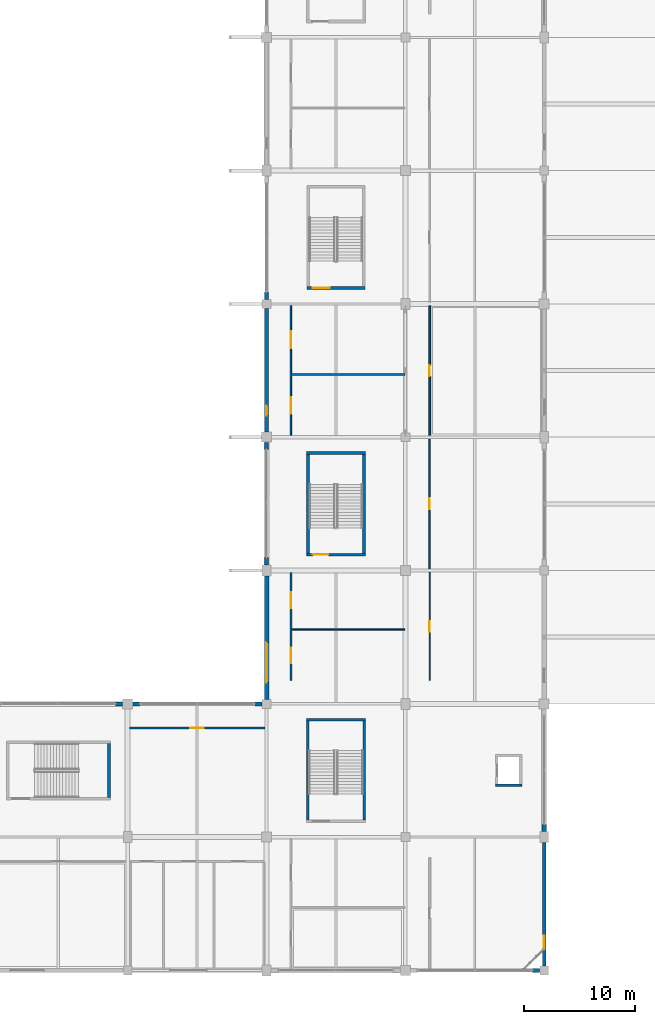
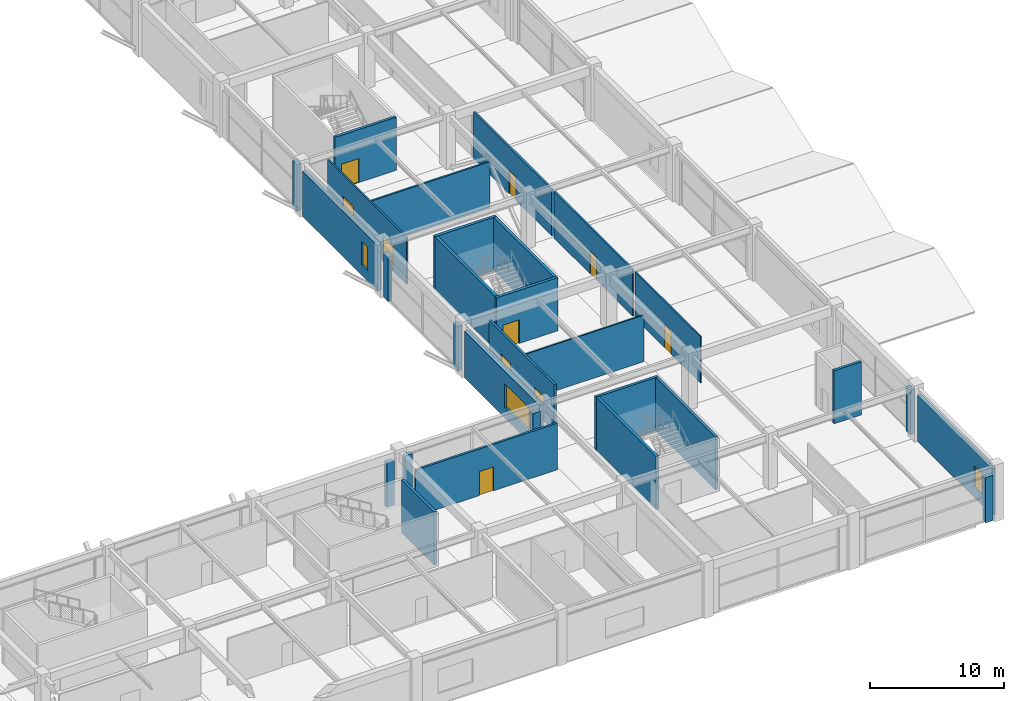
# One storey, part 75 of 116: 29 walls, 10 doors, 3 windows, 13 openings.
"""IFC4 building model written with IfcOpenShell, lengths in metres."""

import ifcopenshell
import ifcopenshell.guid

model = None  # the IFC model being written
_history = None  # IfcOwnerHistory: only IFC2X3 demands one
_inside = {}  # id of a spatial element -> (the spatial element, [elements in it])
_under = {}  # id of a project, library or spatial element -> (it, [spatial elements below it])
_declared = {}  # id of a project -> (the project, [libraries it declares])
_typed = {}  # id of a type object -> (the type object, [elements of that type])
_made_of = {}  # id of a material, layer set ... -> (it, [elements and type objects made of it])


def new_model(schema):
    """Start an empty IFC model of exactly this schema.

    Asked for "IFC4X3", IfcOpenShell would pick the latest addendum, in which some entities
    have other attributes; the version numbers below select the first issue.
    IFC2X3 requires an IfcOwnerHistory on every rooted entity: one is made here for all.
    """
    global model, _history
    if schema == "IFC4X3":
        model = ifcopenshell.file(schema_version=(4, 3, 0, 0))
    else:
        model = ifcopenshell.file(schema=schema)
    _inside.clear()
    _under.clear()
    _declared.clear()
    _typed.clear()
    _made_of.clear()
    _history = None
    if model.schema == "IFC2X3":
        org = make("IfcOrganization", Name="unknown")
        user = make(
            "IfcPersonAndOrganization",
            ThePerson=make("IfcPerson", FamilyName="unknown"),
            TheOrganization=org,
        )
        app = make(
            "IfcApplication",
            ApplicationDeveloper=org,
            Version="unknown",
            ApplicationFullName="unknown",
            ApplicationIdentifier="unknown",
        )
        _history = make(
            "IfcOwnerHistory",
            OwningUser=user,
            OwningApplication=app,
            ChangeAction="ADDED",
            CreationDate=0,
        )
    return model


def make(cls, **values):
    """One entity of the class cls with the attributes given. An attribute that is None is left unset."""
    return model.create_entity(
        cls, **{name: value for name, value in values.items() if value is not None}
    )


def rooted(cls, **values):
    """An entity with a GlobalId (a new one), such as an element, a storey or a relation."""
    return make(cls, GlobalId=ifcopenshell.guid.new(), OwnerHistory=_history, **values)


def si_unit(unit_type, name, prefix=None):
    """IfcSIUnit, for example si_unit("LENGTHUNIT", "METRE", prefix="MILLI")."""
    return make("IfcSIUnit", UnitType=unit_type, Prefix=prefix, Name=name)


def assignment(units):
    """IfcUnitAssignment: the units of a project."""
    return None if units is None else make("IfcUnitAssignment", Units=units)


def point(xyz):
    """IfcCartesianPoint."""
    return None if xyz is None else make("IfcCartesianPoint", Coordinates=xyz)


def direction(xyz):
    """IfcDirection."""
    return None if xyz is None else make("IfcDirection", DirectionRatios=xyz)


def frame(location, z_axis=None, x_axis=None):
    """IfcAxis2Placement3D, a coordinate frame: its origin and axes. An axis left out is left unset."""
    return make(
        "IfcAxis2Placement3D",
        Location=point(location),
        Axis=direction(z_axis),
        RefDirection=direction(x_axis),
    )


def frame_2d(location, x_axis=None):
    """IfcAxis2Placement2D, a coordinate frame in the plane: its origin and x axis."""
    return make(
        "IfcAxis2Placement2D", Location=point(location), RefDirection=direction(x_axis)
    )


def origin():
    """The frame at (0, 0, 0) with its axes left unset."""
    return frame((0.0, 0.0, 0.0))


def place(relative_to, where):
    """IfcLocalPlacement: puts the frame where relative to a parent placement (None: the world)."""
    return make(
        "IfcLocalPlacement", PlacementRelTo=relative_to, RelativePlacement=where
    )


def context(
    kind, dimensions, precision=None, world=None, true_north=None, identifier=None
):
    """IfcGeometricRepresentationContext, for example the 3D "Model" context."""
    return make(
        "IfcGeometricRepresentationContext",
        ContextIdentifier=identifier,
        ContextType=kind,
        CoordinateSpaceDimension=dimensions,
        Precision=precision,
        WorldCoordinateSystem=world,
        TrueNorth=true_north,
    )


def subcontext(parent, identifier, kind, view, scale=None):
    """IfcGeometricRepresentationSubContext, for example "Body" below "Model"."""
    return make(
        "IfcGeometricRepresentationSubContext",
        ContextIdentifier=identifier,
        ContextType=kind,
        ParentContext=parent,
        TargetScale=scale,
        TargetView=view,
    )


def project(units=None, contexts=None):
    """IfcProject with its units and contexts."""
    return rooted(
        "IfcProject",
        Name="project",
        RepresentationContexts=contexts,
        UnitsInContext=assignment(units),
    )


def spatial(cls, under=None, at=None, **own):
    """A site, building, storey or space (cls), placed at a placement, below another one or the project."""
    s = rooted(cls, ObjectPlacement=at, **own)
    if under is not None:
        _under.setdefault(under.id(), (under, []))[1].append(s)
    return s


def profile(cls, at=None, kind="AREA", **sizes):
    """A parametric profile (cls). Its sizes go by their IFC names, for example OverallWidth=200.0."""
    return make(cls, ProfileType=kind, Position=at, **sizes)


def rectangle(**sizes):
    """IfcRectangleProfileDef."""
    return profile("IfcRectangleProfileDef", **sizes)


def extrude(swept, where, along, depth):
    """IfcExtrudedAreaSolid: the profile swept, set in the frame where, extruded along a direction by depth."""
    return make(
        "IfcExtrudedAreaSolid",
        SweptArea=swept,
        Position=where,
        ExtrudedDirection=direction(along),
        Depth=depth,
    )


def shape(context_of_items, identifier, shape_type, items):
    """IfcShapeRepresentation: the items that make up one representation, for example the "Body"."""
    return make(
        "IfcShapeRepresentation",
        ContextOfItems=context_of_items,
        RepresentationIdentifier=identifier,
        RepresentationType=shape_type,
        Items=items,
    )


def material(Name=None, Category=None):
    """IfcMaterial."""
    return make("IfcMaterial", Name=Name, Category=Category)


def layer(
    of_material, thickness, ventilated=None, Name=None, Category=None, Priority=None
):
    """IfcMaterialLayer: one layer of a wall or slab, of a material (None: an air gap)."""
    return make(
        "IfcMaterialLayer",
        Material=of_material,
        LayerThickness=thickness,
        IsVentilated=ventilated,
        Name=Name,
        Category=Category,
        Priority=Priority,
    )


def layer_set(layers, Name=None):
    """IfcMaterialLayerSet."""
    return make("IfcMaterialLayerSet", MaterialLayers=layers, LayerSetName=Name)


def made_of(thing, what):
    """Note that an element or type object is made of a material, layer set ...; save() writes the relation."""
    if what is not None:
        _made_of.setdefault(what.id(), (what, []))[1].append(thing)
    return thing


def type_object(cls, material=None, **own):
    """A type object (cls), such as IfcWallType, which elements share."""
    return made_of(rooted(cls, **own), material)


def element(
    cls,
    number,
    at=None,
    inside=None,
    cuts=None,
    type_object=None,
    material=None,
    context=None,
    identifier="Body",
    shape_type=None,
    held_by="IfcProductDefinitionShape",
    body=None,
    shapes=None,
    **own,
):
    """One element of the class cls, such as IfcWall. Its Tag is "e" and its number.

    at: its placement. inside: the storey or other place that contains it. cuts: it is an
    opening in that element (IfcRelVoidsElement). A single representation is given by context,
    identifier, shape_type and body (its items); several are given by shapes. held_by: the class
    of the entity that holds the representations. save() writes the other relations.
    """
    e = rooted(cls, Tag="e%d" % number, ObjectPlacement=at, **own)
    if body is not None:
        shapes = [shape(context, identifier, shape_type, body)]
    if shapes is not None:
        e.Representation = make(held_by, Representations=shapes)
    if inside is not None:
        _inside.setdefault(inside.id(), (inside, []))[1].append(e)
    if cuts is not None:
        rooted(
            "IfcRelVoidsElement", RelatingBuildingElement=cuts, RelatedOpeningElement=e
        )
    if type_object is not None:
        _typed.setdefault(type_object.id(), (type_object, []))[1].append(e)
    return made_of(e, material)


def fill(opening, filler):
    """IfcRelFillsElement: the door or window that sits in an opening."""
    return rooted(
        "IfcRelFillsElement",
        RelatingOpeningElement=opening,
        RelatedBuildingElement=filler,
    )


def aggregate(whole, parts):
    """IfcRelAggregates: a whole, such as a stair, and the parts it consists of."""
    return rooted("IfcRelAggregates", RelatingObject=whole, RelatedObjects=parts)


def save(model, path):
    """Write the relations noted so far, then the file.

    IfcRelAggregates (storeys below a building ...), IfcRelContainedInSpatialStructure (elements
    in a storey), IfcRelDefinesByType, IfcRelAssociatesMaterial and IfcRelDeclares: one each for
    every whole, place, type object, material and project.
    """
    for whole, parts in _under.values():
        aggregate(whole, parts)
    for where, things in _inside.values():
        rooted(
            "IfcRelContainedInSpatialStructure",
            RelatedElements=things,
            RelatingStructure=where,
        )
    for kind, things in _typed.values():
        rooted("IfcRelDefinesByType", RelatedObjects=things, RelatingType=kind)
    for what, things in _made_of.values():
        rooted("IfcRelAssociatesMaterial", RelatedObjects=things, RelatingMaterial=what)
    for by, libraries in _declared.values():
        rooted("IfcRelDeclares", RelatingContext=by, RelatedDefinitions=libraries)
    model.write(path)


model = new_model("IFC4")

# Units and contexts
model_context = context("Model", 3, precision=1e-05, world=origin(), true_north=direction((0.0, 1.0)))
body_context = subcontext(model_context, "Body", "Model", "MODEL_VIEW")
ifc_project = project(units=[si_unit("LENGTHUNIT", "METRE"), si_unit("AREAUNIT", "SQUARE_METRE"), si_unit("VOLUMEUNIT", "CUBIC_METRE"), si_unit("PLANEANGLEUNIT", "RADIAN"), si_unit("MASSUNIT", "GRAM", prefix="KILO")], contexts=[model_context])

# Site, building, storey
site_placement = place(None, origin())
site = spatial("IfcSite", under=ifc_project, at=site_placement, CompositionType="ELEMENT")
building_placement = place(site_placement, origin())
building = spatial("IfcBuilding", under=site, at=building_placement, Name="Kazenohara Klinker Stadium", CompositionType="ELEMENT")
storey_placement = place(building_placement, frame((0.0, 0.0, 10.199951171875)))
storey = spatial("IfcBuildingStorey", under=building, at=storey_placement, Name="L02", CompositionType="ELEMENT", Elevation=10.199951171875)

# Walls
ifc_material_1 = material(Name="Concrete C40/50", Category="concrete")
ifc_layer_1 = layer(ifc_material_1, 0.22998046875)
ifc_layer_set_1 = layer_set([ifc_layer_1], Name="Concrete C40/50")
wall_type_1 = type_object("IfcWallType", Name="WAL-CORE-230", PredefinedType="SHEAR", material=ifc_layer_set_1)
wall_1_placement = place(storey_placement, frame((178.590087890625, 34.56494140625, 0.0), z_axis=(0.0, 0.0, 1.0), x_axis=(1.0, 0.0, 0.0)))
element("IfcWall", 1, at=wall_1_placement, inside=storey, type_object=wall_type_1, Name="Stairwell shear wall ST16 L02 North", PredefinedType="SHEAR", context=body_context, shape_type="SweptSolid", body=[
    extrude(rectangle(XDim=5.31982421875, YDim=0.22998046875, at=frame_2d((2.659912109375, 0.0))), origin(), (0.0, 0.0, 1.0), 4.820068359375),
])
for number, where, z_axis, x_axis, name in (
    (2, (178.705078125, 25.550048828125, 0.0), (0.0, 0.0, 1.0), (0.0, 1.0, 0.0), "Stairwell shear wall ST16 L02 West"),
    (3, (183.794921875, 25.550048828125, 0.0), (0.0, 0.0, 1.0), (0.0, 1.0, 0.0), "Stairwell shear wall ST16 L02 East"),
):
    element("IfcWall", number, at=place(storey_placement, frame(where, z_axis=z_axis, x_axis=x_axis)), inside=storey, type_object=wall_type_1, Name=name, PredefinedType="SHEAR", context=body_context, shape_type="SweptSolid", body=[
        extrude(rectangle(XDim=8.89990234375, YDim=0.22998046875, at=frame_2d((4.449951171875, 0.0))), origin(), (0.0, 0.0, 1.0), 4.820068359375),
    ])

# Wall, opening, door
wall_2_placement = place(storey_placement, frame((178.6201171875, 73.43505859375, 0.0), z_axis=(0.0, 0.0, 1.0), x_axis=(1.0, 0.0, 0.0)))
wall_2 = element("IfcWall", 4, at=wall_2_placement, inside=storey, type_object=wall_type_1, Name="Stairwell shear wall ST22 L02 South", PredefinedType="SHEAR", context=body_context, shape_type="SweptSolid", body=[
    extrude(rectangle(XDim=5.259765625, YDim=0.22998046875, at=frame_2d((2.6298828125, 0.0))), origin(), (0.0, 0.0, 1.0), 4.820068359375),
])
opening_1_placement = place(wall_2_placement, frame((0.550048828125, 0.0, 0.0)))
opening_1 = element("IfcOpeningElement", 5, at=opening_1_placement, cuts=wall_2, Name="Opening SD02", PredefinedType="OPENING", context=body_context, shape_type="SweptSolid", body=[
    extrude(rectangle(XDim=1.5, YDim=2.199951171875, at=frame_2d((0.75, 1.10009765625))), frame((0.0, 0.125, 0.0), z_axis=(0.0, -1.0, 0.0), x_axis=(1.0, 0.0, 0.0)), (0.0, 0.0, 1.0), 0.25),
])
ifc_material_2 = material(Name="Flush painted steel fire door leaf", Category="steel")
door_type_1 = type_object("IfcDoorType", Name="DR-STR-1500x2200", OperationType="NOTDEFINED", PredefinedType="DOOR", material=ifc_material_2)
door_1_placement = place(opening_1_placement, origin())
door_1 = element("IfcDoor", 6, at=door_1_placement, inside=storey, type_object=door_type_1, Name="Escape stairwell fire door ST22-L02", OperationType="SINGLE_SWING_LEFT", OverallHeight=2.199951171875, OverallWidth=1.5, PredefinedType="DOOR", context=body_context, shape_type="SweptSolid", body=[
    extrude(rectangle(XDim=1.5, YDim=2.199951171875, at=frame_2d((0.75, 1.10009765625))), frame((0.0, 0.02490234375, 0.0), z_axis=(0.0, -1.0, 0.0), x_axis=(1.0, 0.0, 0.0)), (0.0, 0.0, 1.0), 0.050048828125),
])
fill(opening_1, door_1)

# Walls
wall_3_placement = place(storey_placement, frame((160.81494140625, 27.570068359375, 0.0), z_axis=(0.0, 0.0, 1.0), x_axis=(0.0, 1.0, 0.0)))
element("IfcWall", 7, at=wall_3_placement, inside=storey, type_object=wall_type_1, Name="Stairwell shear wall ST28 L02 East", PredefinedType="SHEAR", context=body_context, shape_type="SweptSolid", body=[
    extrude(rectangle(XDim=4.85986328125, YDim=0.22998046875, at=frame_2d((2.429931640625, 0.0))), origin(), (0.0, 0.0, 1.0), 4.820068359375),
])
wall_4_placement = place(storey_placement, frame((195.6201171875, 28.68505859375, 0.0), z_axis=(0.0, 0.0, 1.0), x_axis=(1.0, 0.0, 0.0)))
element("IfcWall", 8, at=wall_4_placement, inside=storey, type_object=wall_type_1, Name="Elevator shaft wall LP06 L02 South", PredefinedType="SHEAR", context=body_context, shape_type="SweptSolid", body=[
    extrude(rectangle(XDim=2.35986328125, YDim=0.22998046875, at=frame_2d((1.179931640625, 0.0))), origin(), (0.0, 0.0, 1.0), 4.820068359375),
])

# Wall, opening, door
ifc_layer_2 = layer(ifc_material_1, 0.25)
ifc_layer_set_2 = layer_set([ifc_layer_2], Name="Concrete C40/50")
wall_type_2 = type_object("IfcWallType", Name="WAL-CORE-250", PredefinedType="SHEAR", material=ifc_layer_set_2)
wall_5_placement = place(storey_placement, frame((178.610107421875, 49.425048828125, 0.0), z_axis=(0.0, 0.0, 1.0), x_axis=(1.0, 0.0, 0.0)))
wall_5 = element("IfcWall", 9, at=wall_5_placement, inside=storey, type_object=wall_type_2, Name="Stairwell shear wall ST21 L02 South", PredefinedType="SHEAR", context=body_context, shape_type="SweptSolid", body=[
    extrude(rectangle(XDim=5.27978515625, YDim=0.25, at=frame_2d((2.639892578125, 0.0))), origin(), (0.0, 0.0, 1.0), 4.820068359375),
])
opening_2_placement = place(wall_5_placement, frame((0.550048828125, 0.0, 0.0)))
opening_2 = element("IfcOpeningElement", 10, at=opening_2_placement, cuts=wall_5, Name="Opening SD01", PredefinedType="OPENING", context=body_context, shape_type="SweptSolid", body=[
    extrude(rectangle(XDim=1.39990234375, YDim=2.14990234375, at=frame_2d((0.699951171875, 1.074951171875))), frame((0.0, 0.135009765625, 0.0), z_axis=(0.0, -1.0, 0.0), x_axis=(1.0, 0.0, 0.0)), (0.0, 0.0, 1.0), 0.27001953125),
])
door_type_2 = type_object("IfcDoorType", Name="DR-STR-1400x2150", OperationType="NOTDEFINED", PredefinedType="DOOR", material=ifc_material_2)
door_2_placement = place(opening_2_placement, origin())
door_2 = element("IfcDoor", 11, at=door_2_placement, inside=storey, type_object=door_type_2, Name="Escape stairwell fire door ST21-L02", OperationType="SINGLE_SWING_LEFT", OverallHeight=2.14990234375, OverallWidth=1.39990234375, PredefinedType="DOOR", context=body_context, shape_type="SweptSolid", body=[
    extrude(rectangle(XDim=1.39990234375, YDim=2.14990234375, at=frame_2d((0.699951171875, 1.074951171875))), frame((0.0, 0.02490234375, 0.0), z_axis=(0.0, -1.0, 0.0), x_axis=(1.0, 0.0, 0.0)), (0.0, 0.0, 1.0), 0.050048828125),
])
fill(opening_2, door_2)

# Walls
wall_6_placement = place(storey_placement, frame((178.610107421875, 58.574951171875, 0.0), z_axis=(0.0, 0.0, 1.0), x_axis=(1.0, 0.0, 0.0)))
element("IfcWall", 12, at=wall_6_placement, inside=storey, type_object=wall_type_2, Name="Stairwell shear wall ST21 L02 North", PredefinedType="SHEAR", context=body_context, shape_type="SweptSolid", body=[
    extrude(rectangle(XDim=5.27978515625, YDim=0.25, at=frame_2d((2.639892578125, 0.0))), origin(), (0.0, 0.0, 1.0), 4.820068359375),
])
for number, where, z_axis, x_axis, name in (
    (13, (178.735107421875, 49.550048828125, 0.0), (0.0, 0.0, 1.0), (0.0, 1.0, 0.0), "Stairwell shear wall ST21 L02 West"),
    (14, (183.764892578125, 49.550048828125, 0.0), (0.0, 0.0, 1.0), (0.0, 1.0, 0.0), "Stairwell shear wall ST21 L02 East"),
):
    element("IfcWall", number, at=place(storey_placement, frame(where, z_axis=z_axis, x_axis=x_axis)), inside=storey, type_object=wall_type_2, Name=name, PredefinedType="SHEAR", context=body_context, shape_type="SweptSolid", body=[
        extrude(rectangle(XDim=8.89990234375, YDim=0.25, at=frame_2d((4.449951171875, 0.0))), origin(), (0.0, 0.0, 1.0), 4.820068359375),
    ])

# Wall, opening, window
ifc_material_3 = material(Name="Clinker brick masonry", Category="masonry")
ifc_layer_3 = layer(ifc_material_3, 0.280029296875)
ifc_layer_set_3 = layer_set([ifc_layer_3], Name="Clinker brick masonry")
wall_type_3 = type_object("IfcWallType", Name="WAL-EXT-CB280", PredefinedType="SOLIDWALL", material=ifc_layer_set_3)
wall_7_placement = place(storey_placement, frame((200.0, 12.404052734375, 0.0), z_axis=(0.0, 0.0, 1.0), x_axis=(0.0, 1.0, 0.0)))
wall_7 = element("IfcWall", 15, at=wall_7_placement, inside=storey, type_object=wall_type_3, Name="Clinker brick cavity wall EW06 L02 Y16-1", PredefinedType="SOLIDWALL", context=body_context, shape_type="SweptSolid", body=[
    extrude(rectangle(XDim=11.092041015625, YDim=0.280029296875, at=frame_2d((5.5458984375, 0.0))), origin(), (0.0, 0.0, 1.0), 4.23193359375),
])
opening_3_placement = place(wall_7_placement, frame((1.5, 0.0, 0.949951171875)))
opening_3 = element("IfcOpeningElement", 16, at=opening_3_placement, cuts=wall_7, Name="Opening W05", PredefinedType="OPENING", context=body_context, shape_type="SweptSolid", body=[
    extrude(rectangle(XDim=1.199951171875, YDim=1.89990234375, at=frame_2d((0.60009765625, 0.949951171875))), frame((0.0, 0.14990234375, 0.0), z_axis=(0.0, -1.0, 0.0), x_axis=(1.0, 0.0, 0.0)), (0.0, 0.0, 1.0), 0.300048828125),
])
ifc_material_4 = material(Name="Dark bronze aluminium frame and triple glazing", Category="aluminium")
window_type_1 = type_object("IfcWindowType", Name="WIN-AS-05", PartitioningType="SINGLE_PANEL", PredefinedType="WINDOW", material=ifc_material_4)
window_1_placement = place(opening_3_placement, origin())
window_1 = element("IfcWindow", 17, at=window_1_placement, inside=storey, type_object=window_type_1, Name="Horizontal-mullion ladder window W05 L02 Y16-1", OverallHeight=1.89990234375, OverallWidth=1.199951171875, PartitioningType="SINGLE_PANEL", PredefinedType="WINDOW", context=body_context, shape_type="SweptSolid", body=[
    extrude(rectangle(XDim=1.199951171875, YDim=1.89990234375, at=frame_2d((0.60009765625, 0.949951171875))), frame((0.0, 0.030029296875, 0.0), z_axis=(0.0, -1.0, 0.0), x_axis=(1.0, 0.0, 0.0)), (0.0, 0.0, 1.0), 0.06005859375),
])
fill(opening_3, window_1)

ifc_layer_4 = layer(ifc_material_3, 0.340087890625)
ifc_layer_set_4 = layer_set([ifc_layer_4], Name="Clinker brick masonry")
wall_type_4 = type_object("IfcWallType", Name="WAL-EXT-CB340", PredefinedType="SOLIDWALL", material=ifc_layer_set_4)
wall_8_placement = place(storey_placement, frame((175.0, 60.4541015625, 0.0), z_axis=(0.0, 0.0, 1.0), x_axis=(0.0, 1.0, 0.0)))
wall_8 = element("IfcWall", 18, at=wall_8_placement, inside=storey, type_object=wall_type_4, Name="Clinker brick cavity wall EW04 L02 Y14-5", PredefinedType="SOLIDWALL", context=body_context, shape_type="SweptSolid", body=[
    extrude(rectangle(XDim=11.141845703125, YDim=0.340087890625, at=frame_2d((5.57080078125, 0.0))), origin(), (0.0, 0.0, 1.0), 4.1201171875),
])
opening_4_placement = place(wall_8_placement, frame((1.5, 0.0, 0.949951171875)))
opening_4 = element("IfcOpeningElement", 19, at=opening_4_placement, cuts=wall_8, Name="Opening W01", PredefinedType="OPENING", context=body_context, shape_type="SweptSolid", body=[
    extrude(rectangle(XDim=0.89990234375, YDim=2.10009765625, at=frame_2d((0.449951171875, 1.050048828125))), frame((0.0, 0.18017578125, 0.0), z_axis=(0.0, -1.0, 0.0), x_axis=(1.0, 0.0, 0.0)), (0.0, 0.0, 1.0), 0.360107421875),
])
window_type_2 = type_object("IfcWindowType", Name="WIN-AS-01", PartitioningType="SINGLE_PANEL", PredefinedType="WINDOW", material=ifc_material_4)
window_2_placement = place(opening_4_placement, origin())
window_2 = element("IfcWindow", 20, at=window_2_placement, inside=storey, type_object=window_type_2, Name="Horizontal-mullion ladder window W01 L02 Y14-5", OverallHeight=2.10009765625, OverallWidth=0.89990234375, PartitioningType="SINGLE_PANEL", PredefinedType="WINDOW", context=body_context, shape_type="SweptSolid", body=[
    extrude(rectangle(XDim=0.89990234375, YDim=2.10009765625, at=frame_2d((0.449951171875, 1.050048828125))), frame((0.0, 0.030029296875, 0.0), z_axis=(0.0, -1.0, 0.0), x_axis=(1.0, 0.0, 0.0)), (0.0, 0.0, 1.0), 0.06005859375),
])
fill(opening_4, window_2)

# Walls
ifc_layer_5 = layer(ifc_material_3, 0.3701171875)
ifc_layer_set_5 = layer_set([ifc_layer_5], Name="Clinker brick masonry")
wall_type_5 = type_object("IfcWallType", Name="WAL-EXT-CB370", PredefinedType="SOLIDWALL", material=ifc_layer_set_5)
wall_9_placement = place(storey_placement, frame((161.39599609375, 36.0, 0.0), z_axis=(0.0, 0.0, 1.0), x_axis=(1.0, 0.0, 0.0)))
element("IfcWall", 21, at=wall_9_placement, inside=storey, type_object=wall_type_5, Name="Clinker brick curtain-wall jamb pier L02 X12-3 B", PredefinedType="SOLIDWALL", context=body_context, shape_type="SweptSolid", body=[
    extrude(rectangle(XDim=0.64990234375, YDim=0.3701171875, at=frame_2d((0.324951171875, 0.0))), origin(), (0.0, 0.0, 1.0), 4.02001953125),
])
for number, where, z_axis, x_axis, name in (
    (22, (162.9541015625, 36.0, 0.0), (0.0, 0.0, 1.0), (1.0, 0.0, 0.0), "Clinker brick curtain-wall jamb pier L02 X13-3 A"),
    (23, (173.946044921875, 36.0, 0.0), (0.0, 0.0, 1.0), (1.0, 0.0, 0.0), "Clinker brick curtain-wall jamb pier L02 X13-3 B"),
):
    element("IfcWall", number, at=place(storey_placement, frame(where, z_axis=z_axis, x_axis=x_axis)), inside=storey, type_object=wall_type_5, Name=name, PredefinedType="SOLIDWALL", context=body_context, shape_type="SweptSolid", body=[
        extrude(rectangle(XDim=0.64990234375, YDim=0.3701171875, at=frame_2d((0.324951171875, 0.0))), origin(), (0.0, 0.0, 1.0), 4.1201171875),
    ])
wall_10_placement = place(storey_placement, frame((175.0, 48.50390625, 0.0), z_axis=(0.0, 0.0, 1.0), x_axis=(0.0, 1.0, 0.0)))
element("IfcWall", 24, at=wall_10_placement, inside=storey, type_object=wall_type_5, Name="Clinker brick curtain-wall jamb pier L02 Y14-4 A", PredefinedType="SOLIDWALL", context=body_context, shape_type="SweptSolid", body=[
    extrude(rectangle(XDim=0.650146484375, YDim=0.3701171875, at=frame_2d((0.3251953125, 0.0))), origin(), (0.0, 0.0, 1.0), 4.02001953125),
])
wall_11_placement = place(storey_placement, frame((175.0, 58.89599609375, 0.0), z_axis=(0.0, 0.0, 1.0), x_axis=(0.0, 1.0, 0.0)))
element("IfcWall", 25, at=wall_11_placement, inside=storey, type_object=wall_type_5, Name="Clinker brick curtain-wall jamb pier L02 Y14-4 B", PredefinedType="SOLIDWALL", context=body_context, shape_type="SweptSolid", body=[
    extrude(rectangle(XDim=0.64990234375, YDim=0.3701171875, at=frame_2d((0.324951171875, 0.0))), origin(), (0.0, 0.0, 1.0), 4.02001953125),
])
wall_12_placement = place(storey_placement, frame((175.0, 72.404052734375, 0.0), z_axis=(0.0, 0.0, 1.0), x_axis=(0.0, 1.0, 0.0)))
element("IfcWall", 26, at=wall_12_placement, inside=storey, type_object=wall_type_5, Name="Clinker brick curtain-wall jamb pier L02 Y14-6 A", PredefinedType="SOLIDWALL", context=body_context, shape_type="SweptSolid", body=[
    extrude(rectangle(XDim=0.64990234375, YDim=0.3701171875, at=frame_2d((0.324951171875, 0.0))), origin(), (0.0, 0.0, 1.0), 4.23193359375),
])
wall_13_placement = place(storey_placement, frame((198.946044921875, 12.0, 0.0), z_axis=(0.0, 0.0, 1.0), x_axis=(1.0, 0.0, 0.0)))
element("IfcWall", 27, at=wall_13_placement, inside=storey, type_object=wall_type_5, Name="Clinker brick curtain-wall jamb pier L02 X15-1 B", PredefinedType="SOLIDWALL", context=body_context, shape_type="SweptSolid", body=[
    extrude(rectangle(XDim=0.64990234375, YDim=0.3701171875, at=frame_2d((0.324951171875, 0.0))), origin(), (0.0, 0.0, 1.0), 4.1201171875),
])
wall_14_placement = place(storey_placement, frame((200.0, 24.50390625, 0.0), z_axis=(0.0, 0.0, 1.0), x_axis=(0.0, 1.0, 0.0)))
element("IfcWall", 28, at=wall_14_placement, inside=storey, type_object=wall_type_5, Name="Clinker brick curtain-wall jamb pier L02 Y16-2 A", PredefinedType="SOLIDWALL", context=body_context, shape_type="SweptSolid", body=[
    extrude(rectangle(XDim=0.650146484375, YDim=0.3701171875, at=frame_2d((0.3251953125, 0.0))), origin(), (0.0, 0.0, 1.0), 4.02001953125),
])

# Wall, opening, window
ifc_layer_6 = layer(ifc_material_3, 0.409912109375)
ifc_layer_set_6 = layer_set([ifc_layer_6], Name="Clinker brick masonry")
wall_type_6 = type_object("IfcWallType", Name="WAL-EXT-CB410", PredefinedType="SOLIDWALL", material=ifc_layer_set_6)
wall_15_placement = place(storey_placement, frame((175.0, 36.404052734375, 0.0), z_axis=(0.0, 0.0, 1.0), x_axis=(0.0, 1.0, 0.0)))
wall_15 = element("IfcWall", 29, at=wall_15_placement, inside=storey, type_object=wall_type_6, Name="Clinker brick cavity wall EW02 L02 Y14-3", PredefinedType="SOLIDWALL", context=body_context, shape_type="SweptSolid", body=[
    extrude(rectangle(XDim=11.092041015625, YDim=0.409912109375, at=frame_2d((5.5458984375, 0.0))), origin(), (0.0, 0.0, 1.0), 4.23193359375),
])
opening_5_placement = place(wall_15_placement, frame((1.5, 0.0, 0.949951171875)))
opening_5 = element("IfcOpeningElement", 30, at=opening_5_placement, cuts=wall_15, Name="Opening W36", PredefinedType="OPENING", context=body_context, shape_type="SweptSolid", body=[
    extrude(rectangle(XDim=3.60009765625, YDim=2.14990234375, at=frame_2d((1.800048828125, 1.074951171875))), frame((0.0, 0.21484375, 0.0), z_axis=(0.0, -1.0, 0.0), x_axis=(1.0, 0.0, 0.0)), (0.0, 0.0, 1.0), 0.429931640625),
])
window_type_3 = type_object("IfcWindowType", Name="WIN-AS-36", PartitioningType="SINGLE_PANEL", PredefinedType="WINDOW", material=ifc_material_4)
window_3_placement = place(opening_5_placement, origin())
window_3 = element("IfcWindow", 31, at=window_3_placement, inside=storey, type_object=window_type_3, Name="Horizontal-mullion ladder window W36 L02 Y14-3", OverallHeight=2.14990234375, OverallWidth=3.60009765625, PartitioningType="SINGLE_PANEL", PredefinedType="WINDOW", context=body_context, shape_type="SweptSolid", body=[
    extrude(rectangle(XDim=3.60009765625, YDim=2.14990234375, at=frame_2d((1.800048828125, 1.074951171875))), frame((0.0, 0.030029296875, 0.0), z_axis=(0.0, -1.0, 0.0), x_axis=(1.0, 0.0, 0.0)), (0.0, 0.0, 1.0), 0.06005859375),
])
fill(opening_5, window_3)

# Wall
ifc_material_5 = material(Name="Fire-rated gypsum board on acoustic studs", Category="gypsum")
ifc_layer_7 = layer(ifc_material_5, 0.110107421875)
ifc_layer_set_7 = layer_set([ifc_layer_7], Name="Fire-rated gypsum board on acoustic studs")
wall_type_7 = type_object("IfcWallType", Name="WAL-INT-P110", PredefinedType="PARTITIONING", material=ifc_layer_set_7)
wall_16_placement = place(storey_placement, frame((177.2900390625, 42.6884765625, 0.0), z_axis=(0.0, 0.0, 1.0), x_axis=(1.0, 0.0, 0.0)))
element("IfcWall", 32, at=wall_16_placement, inside=storey, type_object=wall_type_7, Name="Interior partition wall PT01 SPC-L02-14-03-1-2", PredefinedType="PARTITIONING", context=body_context, shape_type="SweptSolid", body=[
    extrude(rectangle(XDim=10.1298828125, YDim=0.110107421875, at=frame_2d((5.06494140625, 0.0))), origin(), (0.0, 0.0, 1.0), 4.219970703125),
])

# Wall, opening, door
wall_17_placement = place(storey_placement, frame((189.68994140625, 38.1201171875, 0.0), z_axis=(0.0, 0.0, 1.0), x_axis=(0.0, 1.0, 0.0)))
wall_17 = element("IfcWall", 33, at=wall_17_placement, inside=storey, type_object=wall_type_7, Name="Interior partition wall PT01 SPC-L02-15-03-1-1", PredefinedType="PARTITIONING", context=body_context, shape_type="SweptSolid", body=[
    extrude(rectangle(XDim=9.719970703125, YDim=0.110107421875, at=frame_2d((4.85986328125, 0.0))), origin(), (0.0, 0.0, 1.0), 4.219970703125),
])
opening_6_placement = place(wall_17_placement, frame((5.3349609375, 0.0, 0.0), z_axis=(0.0, 0.0, 1.0), x_axis=(-1.0, 0.0, 0.0)))
opening_6 = element("IfcOpeningElement", 34, at=opening_6_placement, cuts=wall_17, Name="Opening ID03", PredefinedType="OPENING", context=body_context, shape_type="SweptSolid", body=[
    extrude(rectangle(XDim=0.949951171875, YDim=2.1201171875, at=frame_2d((0.47509765625, 1.06005859375))), frame((0.0, 0.06494140625, 0.0), z_axis=(0.0, -1.0, 0.0), x_axis=(1.0, 0.0, 0.0)), (0.0, 0.0, 1.0), 0.130126953125),
])
ifc_material_6 = material(Name="Solid-core Hokkaido oak fire door", Category="wood")
door_type_3 = type_object("IfcDoorType", Name="DR-INT-03", OperationType="NOTDEFINED", PredefinedType="DOOR", material=ifc_material_6)
door_3_placement = place(opening_6_placement, origin())
door_3 = element("IfcDoor", 35, at=door_3_placement, inside=storey, type_object=door_type_3, Name="Interior door ID03 Founders Club Hospitality Lounge L02-1503A", OperationType="SINGLE_SWING_RIGHT", OverallHeight=2.1201171875, OverallWidth=0.949951171875, PredefinedType="DOOR", context=body_context, shape_type="SweptSolid", body=[
    extrude(rectangle(XDim=0.949951171875, YDim=2.1201171875, at=frame_2d((0.47509765625, 1.06005859375))), frame((0.0, 0.02490234375, 0.0), z_axis=(0.0, -1.0, 0.0), x_axis=(1.0, 0.0, 0.0)), (0.0, 0.0, 1.0), 0.050048828125),
])
fill(opening_6, door_3)

# Wall, openings, doors
ifc_layer_8 = layer(ifc_material_5, 0.139892578125)
ifc_layer_set_8 = layer_set([ifc_layer_8], Name="Fire-rated gypsum board on acoustic studs")
wall_type_8 = type_object("IfcWallType", Name="WAL-INT-P140", PredefinedType="PARTITIONING", material=ifc_layer_set_8)
wall_18_placement = place(storey_placement, frame((177.18994140625, 60.159912109375, 0.0), z_axis=(0.0, 0.0, 1.0), x_axis=(0.0, 1.0, 0.0)))
wall_18 = element("IfcWall", 36, at=wall_18_placement, inside=storey, type_object=wall_type_8, Name="Interior partition wall PT03 SPC-L02-14-05-1-1", PredefinedType="PARTITIONING", context=body_context, shape_type="SweptSolid", body=[
    extrude(rectangle(XDim=11.68017578125, YDim=0.139892578125, at=frame_2d((5.840087890625, 0.0))), origin(), (0.0, 0.0, 1.0), 4.219970703125),
])
opening_7_placement = place(wall_18_placement, frame((3.44482421875, 0.0, 0.0), z_axis=(0.0, 0.0, 1.0), x_axis=(-1.0, 0.0, 0.0)))
opening_7 = element("IfcOpeningElement", 37, at=opening_7_placement, cuts=wall_18, Name="Opening ID20", PredefinedType="OPENING", context=body_context, shape_type="SweptSolid", body=[
    extrude(rectangle(XDim=1.47998046875, YDim=2.239990234375, at=frame_2d((0.739990234375, 1.1201171875))), frame((0.0, 0.080078125, 0.0), z_axis=(0.0, -1.0, 0.0), x_axis=(1.0, 0.0, 0.0)), (0.0, 0.0, 1.0), 0.159912109375),
])
opening_8_placement = place(wall_18_placement, frame((9.384765625, 0.0, 0.0), z_axis=(0.0, 0.0, 1.0), x_axis=(-1.0, 0.0, 0.0)))
opening_8 = element("IfcOpeningElement", 38, at=opening_8_placement, cuts=wall_18, Name="Opening ID21", PredefinedType="OPENING", context=body_context, shape_type="SweptSolid", body=[
    extrude(rectangle(XDim=1.52001953125, YDim=2.280029296875, at=frame_2d((0.760009765625, 1.14013671875))), frame((0.0, 0.080078125, 0.0), z_axis=(0.0, -1.0, 0.0), x_axis=(1.0, 0.0, 0.0)), (0.0, 0.0, 1.0), 0.159912109375),
])
ifc_material_7 = material(Name="Painted steel plant fire door", Category="steel")
door_type_4 = type_object("IfcDoorType", Name="DR-INT-20", OperationType="NOTDEFINED", PredefinedType="DOOR", material=ifc_material_7)
door_4_placement = place(opening_7_placement, origin())
door_4 = element("IfcDoor", 39, at=door_4_placement, inside=storey, type_object=door_type_4, Name="Interior door ID20 Club Reception Dining Lounge L02-1405A", OperationType="SINGLE_SWING_LEFT", OverallHeight=2.239990234375, OverallWidth=1.47998046875, PredefinedType="DOOR", context=body_context, shape_type="SweptSolid", body=[
    extrude(rectangle(XDim=1.47998046875, YDim=2.239990234375, at=frame_2d((0.739990234375, 1.1201171875))), frame((0.0, 0.02490234375, 0.0), z_axis=(0.0, -1.0, 0.0), x_axis=(1.0, 0.0, 0.0)), (0.0, 0.0, 1.0), 0.050048828125),
])
fill(opening_7, door_4)
door_type_5 = type_object("IfcDoorType", Name="DR-INT-21", OperationType="NOTDEFINED", PredefinedType="DOOR", material=ifc_material_7)
door_5_placement = place(opening_8_placement, origin())
door_5 = element("IfcDoor", 40, at=door_5_placement, inside=storey, type_object=door_type_5, Name="Interior door ID21 Corporate Hospitality Viewing Suite L02-1405B", OperationType="SINGLE_SWING_RIGHT", OverallHeight=2.280029296875, OverallWidth=1.52001953125, PredefinedType="DOOR", context=body_context, shape_type="SweptSolid", body=[
    extrude(rectangle(XDim=1.52001953125, YDim=2.280029296875, at=frame_2d((0.760009765625, 1.14013671875))), frame((0.0, 0.02490234375, 0.0), z_axis=(0.0, -1.0, 0.0), x_axis=(1.0, 0.0, 0.0)), (0.0, 0.0, 1.0), 0.050048828125),
])
fill(opening_8, door_5)

# Wall, opening, door
wall_19_placement = place(storey_placement, frame((189.68994140625, 48.159912109375, 0.0), z_axis=(0.0, 0.0, 1.0), x_axis=(0.0, 1.0, 0.0)))
wall_19 = element("IfcWall", 41, at=wall_19_placement, inside=storey, type_object=wall_type_8, Name="Interior partition wall PT03 SPC-L02-15-04-1-1", PredefinedType="PARTITIONING", context=body_context, shape_type="SweptSolid", body=[
    extrude(rectangle(XDim=11.68017578125, YDim=0.139892578125, at=frame_2d((5.840087890625, 0.0))), origin(), (0.0, 0.0, 1.0), 4.219970703125),
])
opening_9_placement = place(wall_19_placement, frame((6.330078125, 0.0, 0.0), z_axis=(0.0, 0.0, 1.0), x_axis=(-1.0, 0.0, 0.0)))
opening_9 = element("IfcOpeningElement", 42, at=opening_9_placement, cuts=wall_19, Name="Opening ID04", PredefinedType="OPENING", context=body_context, shape_type="SweptSolid", body=[
    extrude(rectangle(XDim=0.97998046875, YDim=2.10009765625, at=frame_2d((0.489990234375, 1.050048828125))), frame((0.0, 0.080078125, 0.0), z_axis=(0.0, -1.0, 0.0), x_axis=(1.0, 0.0, 0.0)), (0.0, 0.0, 1.0), 0.159912109375),
])
door_type_6 = type_object("IfcDoorType", Name="DR-INT-04", OperationType="NOTDEFINED", PredefinedType="DOOR", material=ifc_material_6)
door_6_placement = place(opening_9_placement, origin())
door_6 = element("IfcDoor", 43, at=door_6_placement, inside=storey, type_object=door_type_6, Name="Interior door ID04 Club Level Sommelier Wine Bar L02-1504A", OperationType="SINGLE_SWING_LEFT", OverallHeight=2.10009765625, OverallWidth=0.97998046875, PredefinedType="DOOR", context=body_context, shape_type="SweptSolid", body=[
    extrude(rectangle(XDim=0.97998046875, YDim=2.10009765625, at=frame_2d((0.489990234375, 1.050048828125))), frame((0.0, 0.02490234375, 0.0), z_axis=(0.0, -1.0, 0.0), x_axis=(1.0, 0.0, 0.0)), (0.0, 0.0, 1.0), 0.050048828125),
])
fill(opening_9, door_6)

# Wall
ifc_layer_9 = layer(ifc_material_5, 0.14990234375)
ifc_layer_set_9 = layer_set([ifc_layer_9], Name="Fire-rated gypsum board on acoustic studs")
wall_type_9 = type_object("IfcWallType", Name="WAL-INT-P150", PredefinedType="PARTITIONING", material=ifc_layer_set_9)
wall_20_placement = place(storey_placement, frame((177.264892578125, 65.649658203125, 0.0), z_axis=(0.0, 0.0, 1.0), x_axis=(1.0, 0.0, 0.0)))
element("IfcWall", 44, at=wall_20_placement, inside=storey, type_object=wall_type_9, Name="Interior partition wall PT04 SPC-L02-14-05-1-2", PredefinedType="PARTITIONING", context=body_context, shape_type="SweptSolid", body=[
    extrude(rectangle(XDim=10.155029296875, YDim=0.14990234375, at=frame_2d((5.07763671875, 0.0))), origin(), (0.0, 0.0, 1.0), 4.219970703125),
])

# Wall, opening, door
ifc_layer_10 = layer(ifc_material_5, 0.169921875)
ifc_layer_set_10 = layer_set([ifc_layer_10], Name="Fire-rated gypsum board on acoustic studs")
wall_type_10 = type_object("IfcWallType", Name="WAL-INT-P170", PredefinedType="PARTITIONING", material=ifc_layer_set_10)
wall_21_placement = place(storey_placement, frame((189.68994140625, 60.159912109375, 0.0), z_axis=(0.0, 0.0, 1.0), x_axis=(0.0, 1.0, 0.0)))
wall_21 = element("IfcWall", 45, at=wall_21_placement, inside=storey, type_object=wall_type_10, Name="Interior partition wall PT05 SPC-L02-15-05-1-1", PredefinedType="PARTITIONING", context=body_context, shape_type="SweptSolid", body=[
    extrude(rectangle(XDim=11.68017578125, YDim=0.169921875, at=frame_2d((5.840087890625, 0.0))), origin(), (0.0, 0.0, 1.0), 4.219970703125),
])
opening_10_placement = place(wall_21_placement, frame((6.340087890625, 0.0, 0.0), z_axis=(0.0, 0.0, 1.0), x_axis=(-1.0, 0.0, 0.0)))
opening_10 = element("IfcOpeningElement", 46, at=opening_10_placement, cuts=wall_21, Name="Opening ID05", PredefinedType="OPENING", context=body_context, shape_type="SweptSolid", body=[
    extrude(rectangle(XDim=1.0, YDim=2.139892578125, at=frame_2d((0.5, 1.06982421875))), frame((0.0, 0.094970703125, 0.0), z_axis=(0.0, -1.0, 0.0), x_axis=(1.0, 0.0, 0.0)), (0.0, 0.0, 1.0), 0.18994140625),
])
door_type_7 = type_object("IfcDoorType", Name="DR-INT-05", OperationType="NOTDEFINED", PredefinedType="DOOR", material=ifc_material_6)
door_7_placement = place(opening_10_placement, origin())
door_7 = element("IfcDoor", 47, at=door_7_placement, inside=storey, type_object=door_type_7, Name="Interior door ID05 Club Reception Dining Lounge L02-1505A", OperationType="SINGLE_SWING_RIGHT", OverallHeight=2.139892578125, OverallWidth=1.0, PredefinedType="DOOR", context=body_context, shape_type="SweptSolid", body=[
    extrude(rectangle(XDim=1.0, YDim=2.139892578125, at=frame_2d((0.5, 1.06982421875))), frame((0.0, 0.02490234375, 0.0), z_axis=(0.0, -1.0, 0.0), x_axis=(1.0, 0.0, 0.0)), (0.0, 0.0, 1.0), 0.050048828125),
])
fill(opening_10, door_7)

ifc_layer_11 = layer(ifc_material_5, 0.18994140625)
ifc_layer_set_11 = layer_set([ifc_layer_11], Name="Fire-rated gypsum board on acoustic studs")
wall_type_11 = type_object("IfcWallType", Name="WAL-INT-P190", PredefinedType="PARTITIONING", material=ifc_layer_set_11)
wall_22_placement = place(storey_placement, frame((162.659912109375, 33.81005859375, 0.0), z_axis=(0.0, 0.0, 1.0), x_axis=(1.0, 0.0, 0.0)))
wall_22 = element("IfcWall", 48, at=wall_22_placement, inside=storey, type_object=wall_type_11, Name="Interior partition wall PT06 SPC-L02-13-02-1-1", PredefinedType="PARTITIONING", context=body_context, shape_type="SweptSolid", body=[
    extrude(rectangle(XDim=12.18017578125, YDim=0.18994140625, at=frame_2d((6.090087890625, 0.0))), origin(), (0.0, 0.0, 1.0), 4.219970703125),
])
opening_11_placement = place(wall_22_placement, frame((6.695068359375, 0.0, 0.0), z_axis=(0.0, 0.0, 1.0), x_axis=(-1.0, 0.0, 0.0)))
opening_11 = element("IfcOpeningElement", 49, at=opening_11_placement, cuts=wall_22, Name="Opening ID12", PredefinedType="OPENING", context=body_context, shape_type="SweptSolid", body=[
    extrude(rectangle(XDim=1.2099609375, YDim=2.179931640625, at=frame_2d((0.60498046875, 1.08984375))), frame((0.0, 0.10498046875, 0.0), z_axis=(0.0, -1.0, 0.0), x_axis=(1.0, 0.0, 0.0)), (0.0, 0.0, 1.0), 0.2099609375),
])
door_type_8 = type_object("IfcDoorType", Name="DR-INT-12", OperationType="NOTDEFINED", PredefinedType="DOOR", material=ifc_material_6)
door_8_placement = place(opening_11_placement, origin())
door_8 = element("IfcDoor", 50, at=door_8_placement, inside=storey, type_object=door_type_8, Name="Interior door ID12 Sapporo Autumn Banquet Hall L02-1302A", OperationType="SINGLE_SWING_LEFT", OverallHeight=2.179931640625, OverallWidth=1.2099609375, PredefinedType="DOOR", context=body_context, shape_type="SweptSolid", body=[
    extrude(rectangle(XDim=1.2099609375, YDim=2.179931640625, at=frame_2d((0.60498046875, 1.08984375))), frame((0.0, 0.02490234375, 0.0), z_axis=(0.0, -1.0, 0.0), x_axis=(1.0, 0.0, 0.0)), (0.0, 0.0, 1.0), 0.050048828125),
])
fill(opening_11, door_8)

# Wall, openings, doors
wall_23_placement = place(storey_placement, frame((177.18994140625, 38.1201171875, 0.0), z_axis=(0.0, 0.0, 1.0), x_axis=(0.0, 1.0, 0.0)))
wall_23 = element("IfcWall", 51, at=wall_23_placement, inside=storey, type_object=wall_type_11, Name="Interior partition wall PT06 SPC-L02-14-03-1-1", PredefinedType="PARTITIONING", context=body_context, shape_type="SweptSolid", body=[
    extrude(rectangle(XDim=9.719970703125, YDim=0.18994140625, at=frame_2d((4.85986328125, 0.0))), origin(), (0.0, 0.0, 1.0), 4.219970703125),
])
opening_12_placement = place(wall_23_placement, frame((2.944091796875, 0.0, 0.0), z_axis=(0.0, 0.0, 1.0), x_axis=(-1.0, 0.0, 0.0)))
opening_12 = element("IfcOpeningElement", 52, at=opening_12_placement, cuts=wall_23, Name="Opening ID18", PredefinedType="OPENING", context=body_context, shape_type="SweptSolid", body=[
    extrude(rectangle(XDim=1.39990234375, YDim=2.239990234375, at=frame_2d((0.699951171875, 1.1201171875))), frame((0.0, 0.10498046875, 0.0), z_axis=(0.0, -1.0, 0.0), x_axis=(1.0, 0.0, 0.0)), (0.0, 0.0, 1.0), 0.2099609375),
])
opening_13_placement = place(wall_23_placement, frame((7.904052734375, 0.0, 0.0), z_axis=(0.0, 0.0, 1.0), x_axis=(-1.0, 0.0, 0.0)))
opening_13 = element("IfcOpeningElement", 53, at=opening_13_placement, cuts=wall_23, Name="Opening ID19", PredefinedType="OPENING", context=body_context, shape_type="SweptSolid", body=[
    extrude(rectangle(XDim=1.43994140625, YDim=2.260009765625, at=frame_2d((0.719970703125, 1.1298828125))), frame((0.0, 0.10498046875, 0.0), z_axis=(0.0, -1.0, 0.0), x_axis=(1.0, 0.0, 0.0)), (0.0, 0.0, 1.0), 0.2099609375),
])
door_type_9 = type_object("IfcDoorType", Name="DR-INT-18", OperationType="NOTDEFINED", PredefinedType="DOOR", material=ifc_material_6)
door_9_placement = place(opening_12_placement, origin())
door_9 = element("IfcDoor", 54, at=door_9_placement, inside=storey, type_object=door_type_9, Name="Interior door ID18 Club Level Sommelier Wine Bar L02-1403A", OperationType="SINGLE_SWING_LEFT", OverallHeight=2.239990234375, OverallWidth=1.39990234375, PredefinedType="DOOR", context=body_context, shape_type="SweptSolid", body=[
    extrude(rectangle(XDim=1.39990234375, YDim=2.239990234375, at=frame_2d((0.699951171875, 1.1201171875))), frame((0.0, 0.02490234375, 0.0), z_axis=(0.0, -1.0, 0.0), x_axis=(1.0, 0.0, 0.0)), (0.0, 0.0, 1.0), 0.050048828125),
])
fill(opening_12, door_9)
door_type_10 = type_object("IfcDoorType", Name="DR-INT-19", OperationType="NOTDEFINED", PredefinedType="DOOR", material=ifc_material_7)
door_10_placement = place(opening_13_placement, origin())
door_10 = element("IfcDoor", 55, at=door_10_placement, inside=storey, type_object=door_type_10, Name="Interior door ID19 Civic Sports Archive Reading Room L02-1403B", OperationType="SINGLE_SWING_RIGHT", OverallHeight=2.260009765625, OverallWidth=1.43994140625, PredefinedType="DOOR", context=body_context, shape_type="SweptSolid", body=[
    extrude(rectangle(XDim=1.43994140625, YDim=2.260009765625, at=frame_2d((0.719970703125, 1.1298828125))), frame((0.0, 0.02490234375, 0.0), z_axis=(0.0, -1.0, 0.0), x_axis=(1.0, 0.0, 0.0)), (0.0, 0.0, 1.0), 0.050048828125),
])
fill(opening_13, door_10)

save(model, "model.ifc")
